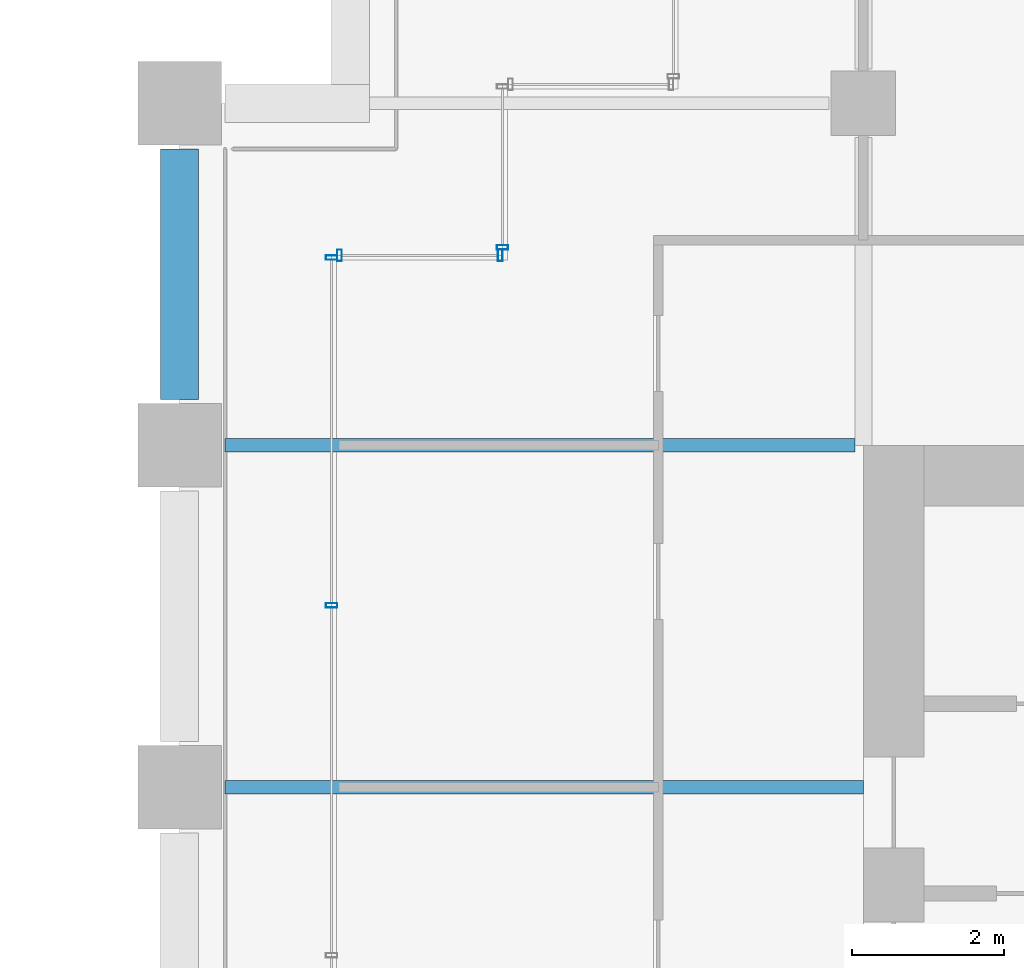
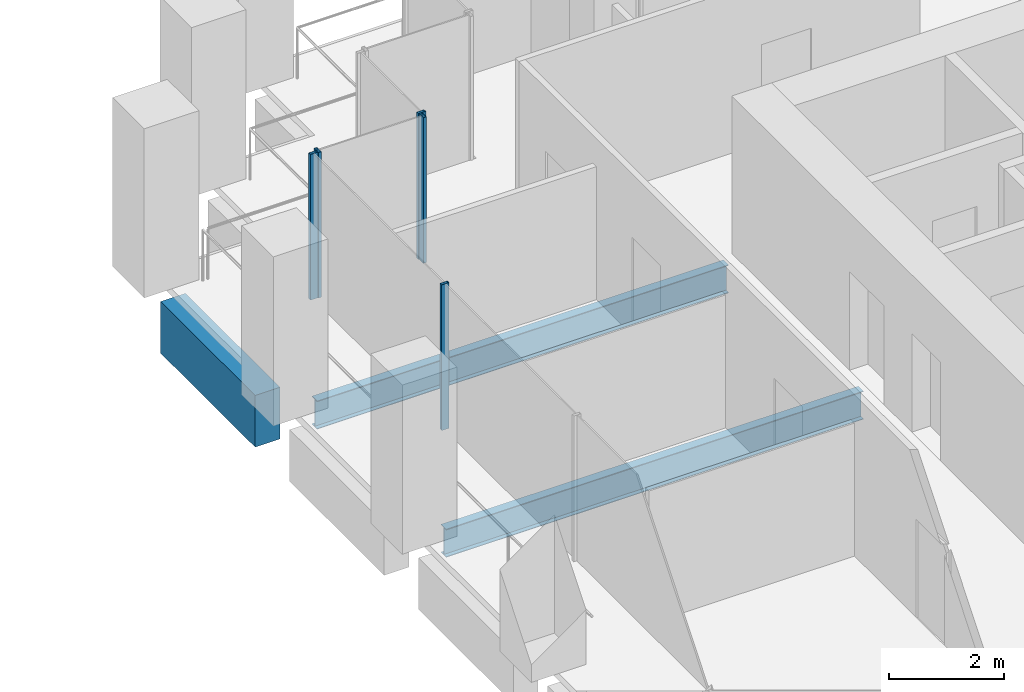
# One storey, part 39 of 55: 5 members, 3 beams, 3 elements without a shape of their own.
"""IFC4 building model written with IfcOpenShell, lengths in metres."""

from ifc_helpers import new_model, si_unit, direction, frame, origin, origin_2d, place, context, subcontext, project, spatial, rectangle, hollow_rectangle, i_section, extrude, material, material_profile, profile_set, type_object, element, aggregate, save


model = new_model("IFC4")

# Units and contexts
model_context = context("Model", 3, precision=1e-05, world=origin(), true_north=direction((0.0, 1.0)))
body_context = subcontext(model_context, "Body", "Model", "MODEL_VIEW")
ifc_project = project(units=[si_unit("LENGTHUNIT", "METRE"), si_unit("AREAUNIT", "SQUARE_METRE"), si_unit("VOLUMEUNIT", "CUBIC_METRE"), si_unit("PLANEANGLEUNIT", "RADIAN"), si_unit("MASSUNIT", "GRAM", prefix="KILO")], contexts=[model_context])

# Site, building, storey
site_placement = place(None, origin())
site = spatial("IfcSite", under=ifc_project, at=site_placement, CompositionType="ELEMENT")
building_placement = place(site_placement, origin())
building = spatial("IfcBuilding", under=site, at=building_placement, Name="Altepetl Exchange Towers", CompositionType="ELEMENT")
storey_placement = place(building_placement, frame((0.0, 0.0, 47.39990234375)))
storey = spatial("IfcBuildingStorey", under=building, at=storey_placement, Name="L10", CompositionType="ELEMENT", Elevation=47.39990234375)

# Beams
ifc_material_1 = material(Name="Steel S355", Category="steel")
ifc_material_profile_1 = material_profile(ifc_material_1, i_section(OverallWidth=0.177978515625, OverallDepth=0.59912109375, WebThickness=0.010009765625, FlangeThickness=0.0126953125, at=origin_2d()), Name="W24X55")
ifc_profile_set_1 = profile_set([ifc_material_profile_1], Name="Steel S355")
beam_type_1 = type_object("IfcBeamType", Name="Floor beam W24X55", PredefinedType="BEAM", material=ifc_profile_set_1)
beam_1_placement = place(storey_placement, frame((95.10009765625, 45.0, -0.449462890625), z_axis=(1.0, 0.0, 0.0), x_axis=(0.0, 1.0, 0.0)))
element("IfcBeam", 1, at=beam_1_placement, inside=storey, type_object=beam_type_1, Name="bm:B:L10:013", PredefinedType="BEAM", context=body_context, shape_type="SweptSolid", body=[
    extrude(i_section(OverallWidth=0.177978515625, OverallDepth=0.59912109375, WebThickness=0.010009765625, FlangeThickness=0.0126953125, at=origin_2d()), origin(), (0.0, 0.0, 1.0), 8.39990234375),
])
beam_2_placement = place(storey_placement, frame((95.10009765625, 49.5, -0.449462890625), z_axis=(1.0, 0.0, 0.0), x_axis=(0.0, 1.0, 0.0)))
element("IfcBeam", 2, at=beam_2_placement, inside=storey, type_object=beam_type_1, Name="bm:B:L10:014", PredefinedType="BEAM", context=body_context, shape_type="SweptSolid", body=[
    extrude(i_section(OverallWidth=0.177978515625, OverallDepth=0.59912109375, WebThickness=0.010009765625, FlangeThickness=0.0126953125, at=origin_2d()), origin(), (0.0, 0.0, 1.0), 8.285888671875),
])

# Curtain wall, members
ifc_material_2 = material(Name="Aluminium 6063-T6 glazing", Category="aluminium")
curtain_wall_type = type_object("IfcCurtainWallType", Name="Loggia glazing system", PredefinedType="NOTDEFINED", material=ifc_material_2)
curtain_wall_1_placement = place(storey_placement, origin())
curtain_wall_1 = element("IfcCurtainWall", 3, at=curtain_wall_1_placement, inside=storey, type_object=curtain_wall_type, Name="CW1 run", PredefinedType="NOTDEFINED")
ifc_material_3 = material(Name="Aluminium 6063-T6", Category="aluminium")
ifc_material_profile_2 = material_profile(ifc_material_3, hollow_rectangle(XDim=0.06005859375, YDim=0.14990234375, WallThickness=0.0029296875, at=origin_2d()), Name="Mullion 60x150 aluminium")
ifc_profile_set_2 = profile_set([ifc_material_profile_2], Name="Aluminium 6063-T6")
member_type = type_object("IfcMemberType", Name="Mullion 60x150 aluminium", PredefinedType="MULLION", material=ifc_profile_set_2)
member_1_placement = place(storey_placement, frame((98.719970703125, 52.0, 0.0), z_axis=(0.0, 0.0, 1.0), x_axis=(-1.0, 0.0, 0.0)))
member_1 = element("IfcMember", 4, at=member_1_placement, type_object=member_type, Name="MU1 mullion", PredefinedType="MULLION", context=body_context, shape_type="SweptSolid", body=[
    extrude(hollow_rectangle(XDim=0.06005859375, YDim=0.14990234375, WallThickness=0.0029296875, at=origin_2d()), origin(), (0.0, 0.0, 1.0), 3.10009765625),
])
member_2_placement = place(storey_placement, frame((96.60498046875, 52.0, 0.0), z_axis=(0.0, 0.0, 1.0), x_axis=(-1.0, 0.0, 0.0)))
member_2 = element("IfcMember", 5, at=member_2_placement, type_object=member_type, Name="MU1 mullion", PredefinedType="MULLION", context=body_context, shape_type="SweptSolid", body=[
    extrude(hollow_rectangle(XDim=0.06005859375, YDim=0.14990234375, WallThickness=0.0029296875, at=origin_2d()), origin(), (0.0, 0.0, 1.0), 3.10009765625),
])
aggregate(curtain_wall_1, [member_1, member_2])

curtain_wall_2_placement = place(storey_placement, origin())
curtain_wall_2 = element("IfcCurtainWall", 6, at=curtain_wall_2_placement, inside=storey, type_object=curtain_wall_type, Name="CW1 run", PredefinedType="NOTDEFINED")
member_3_placement = place(storey_placement, frame((96.5, 51.969970703125, 0.0), z_axis=(0.0, 0.0, 1.0), x_axis=(0.0, -1.0, 0.0)))
member_3 = element("IfcMember", 7, at=member_3_placement, type_object=member_type, Name="MU1 mullion", PredefinedType="MULLION", context=body_context, shape_type="SweptSolid", body=[
    extrude(hollow_rectangle(XDim=0.06005859375, YDim=0.14990234375, WallThickness=0.0029296875, at=origin_2d()), origin(), (0.0, 0.0, 1.0), 3.10009765625),
])
member_4_placement = place(storey_placement, frame((96.5, 47.393798828125, 0.0), z_axis=(0.0, 0.0, 1.0), x_axis=(0.0, -1.0, 0.0)))
member_4 = element("IfcMember", 8, at=member_4_placement, type_object=member_type, Name="MU1 mullion", PredefinedType="MULLION", context=body_context, shape_type="SweptSolid", body=[
    extrude(hollow_rectangle(XDim=0.06005859375, YDim=0.14990234375, WallThickness=0.0029296875, at=origin_2d()), origin(), (0.0, 0.0, 1.0), 3.10009765625),
])
aggregate(curtain_wall_2, [member_3, member_4])

# Curtain wall, member
curtain_wall_3_placement = place(storey_placement, origin())
curtain_wall_3 = element("IfcCurtainWall", 9, at=curtain_wall_3_placement, inside=storey, type_object=curtain_wall_type, Name="CW1 run", PredefinedType="NOTDEFINED")
member_5_placement = place(storey_placement, frame((98.75, 52.10498046875, 0.0), z_axis=(0.0, 0.0, 1.0), x_axis=(0.0, -1.0, 0.0)))
member_5 = element("IfcMember", 10, at=member_5_placement, type_object=member_type, Name="MU1 mullion", PredefinedType="MULLION", context=body_context, shape_type="SweptSolid", body=[
    extrude(hollow_rectangle(XDim=0.06005859375, YDim=0.14990234375, WallThickness=0.0029296875, at=origin_2d()), origin(), (0.0, 0.0, 1.0), 3.10009765625),
])
aggregate(curtain_wall_3, [member_5])

# Beam
ifc_material_4 = material(Name="Concrete C50/60 precast with cantera rosa facing", Category="concrete")
ifc_material_profile_3 = material_profile(ifc_material_4, rectangle(XDim=0.5, YDim=1.10009765625, at=origin_2d()), Name="500 x 1100")
ifc_profile_set_3 = profile_set([ifc_material_profile_3], Name="Concrete C50/60 precast with cantera rosa facing")
beam_type_2 = type_object("IfcBeamType", Name="Spandrel beam 500x1100 cantera rosa", PredefinedType="SPANDREL", material=ifc_profile_set_3)
beam_3_placement = place(storey_placement, frame((94.5, 53.39990234375, -0.699951171875), z_axis=(0.0, -1.0, 0.0), x_axis=(1.0, 0.0, 0.0)))
element("IfcBeam", 11, at=beam_3_placement, inside=storey, type_object=beam_type_2, Name="sp:B:L10:027", PredefinedType="SPANDREL", context=body_context, shape_type="SweptSolid", body=[
    extrude(rectangle(XDim=0.5, YDim=1.10009765625, at=origin_2d()), origin(), (0.0, 0.0, 1.0), 3.2998046875),
])

save(model, "model.ifc")
